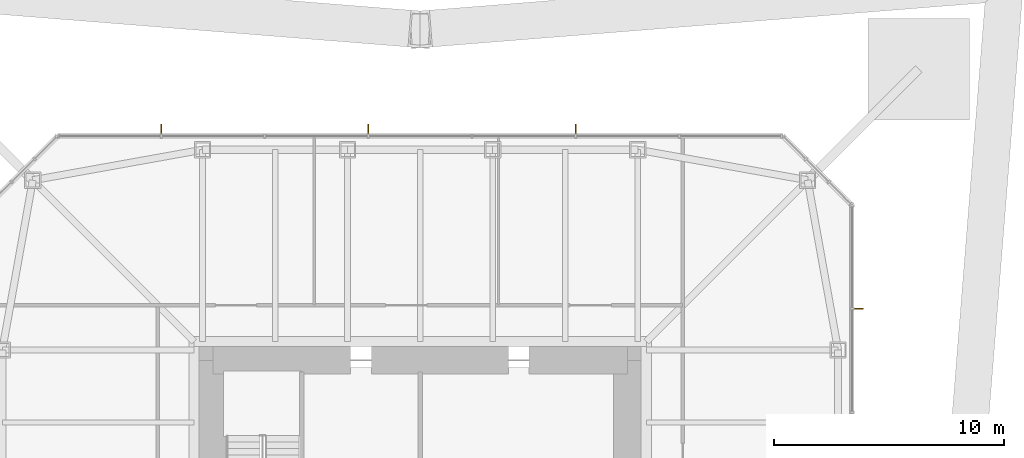
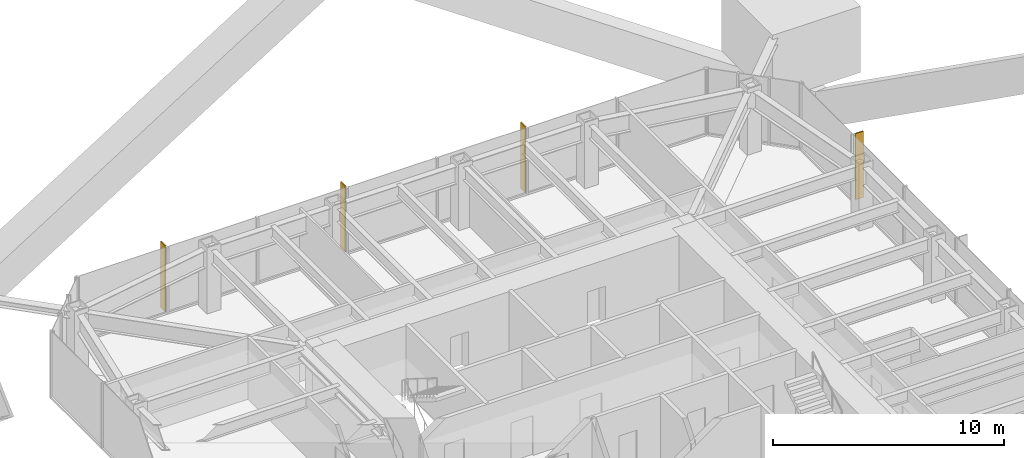
# One storey, part 11 of 11: 4 shading devices.
"""IFC4 building model written with IfcOpenShell, lengths in metres."""

from ifc_helpers import new_model, si_unit, direction, frame, origin, origin_2d, place, context, subcontext, project, spatial, rectangle, extrude, material, layer, layer_set, type_object, element, save


model = new_model("IFC4")

# Units and contexts
model_context = context("Model", 3, precision=1e-05, world=origin(), true_north=direction((0.0, 1.0)))
body_context = subcontext(model_context, "Body", "Model", "MODEL_VIEW")
ifc_project = project(units=[si_unit("LENGTHUNIT", "METRE"), si_unit("AREAUNIT", "SQUARE_METRE"), si_unit("VOLUMEUNIT", "CUBIC_METRE"), si_unit("PLANEANGLEUNIT", "RADIAN"), si_unit("MASSUNIT", "GRAM", prefix="KILO")], contexts=[model_context])

# Site, building, storey
site_placement = place(None, origin())
site = spatial("IfcSite", under=ifc_project, at=site_placement, CompositionType="ELEMENT")
building_placement = place(site_placement, origin())
building = spatial("IfcBuilding", under=site, at=building_placement, Name="Iwan Alto Co-Living Towers", CompositionType="ELEMENT")
storey_placement = place(building_placement, frame((0.0, 0.0, 149.5)))
storey = spatial("IfcBuildingStorey", under=building, at=storey_placement, Name="L40", CompositionType="ELEMENT", Elevation=149.5)

# Shading devices
ifc_material = material(Name="Aluminium 6063-T6 bronze anodised", Category="aluminium")
ifc_layer = layer(ifc_material, 0.050048828125)
ifc_layer_set = layer_set([ifc_layer], Name="BRONZE FIN 50X400")
shading_device_type = type_object("IfcShadingDeviceType", Name="BRONZE FIN 50X400", PredefinedType="USERDEFINED", material=ifc_layer_set)
for number, where, z_axis, x_axis, name in (
    (1, (19.050048828125, 11.25, 0.0), (0.0, 0.0, 1.0), (0.0, 1.0, 0.0), "Bronze fin L40"),
    (2, (6.75, 19.050048828125, 0.0), (0.0, 0.0, 1.0), (-1.0, 0.0, 0.0), "Bronze fin L40"),
    (3, (-2.25, 19.050048828125, 0.0), (0.0, 0.0, 1.0), (-1.0, 0.0, 0.0), "Bronze fin L40"),
    (4, (-11.25, 19.050048828125, 0.0), (0.0, 0.0, 1.0), (-1.0, 0.0, 0.0), "Bronze fin L40"),
):
    element("IfcShadingDevice", number, at=place(storey_placement, frame(where, z_axis=z_axis, x_axis=x_axis)), inside=storey, type_object=shading_device_type, Name=name, ObjectType="LOUVER", PredefinedType="USERDEFINED", context=body_context, shape_type="SweptSolid", body=[
        extrude(rectangle(XDim=0.050048828125, YDim=0.39990234375, at=origin_2d()), origin(), (0.0, 0.0, 1.0), 3.5),
    ])

save(model, "model.ifc")
